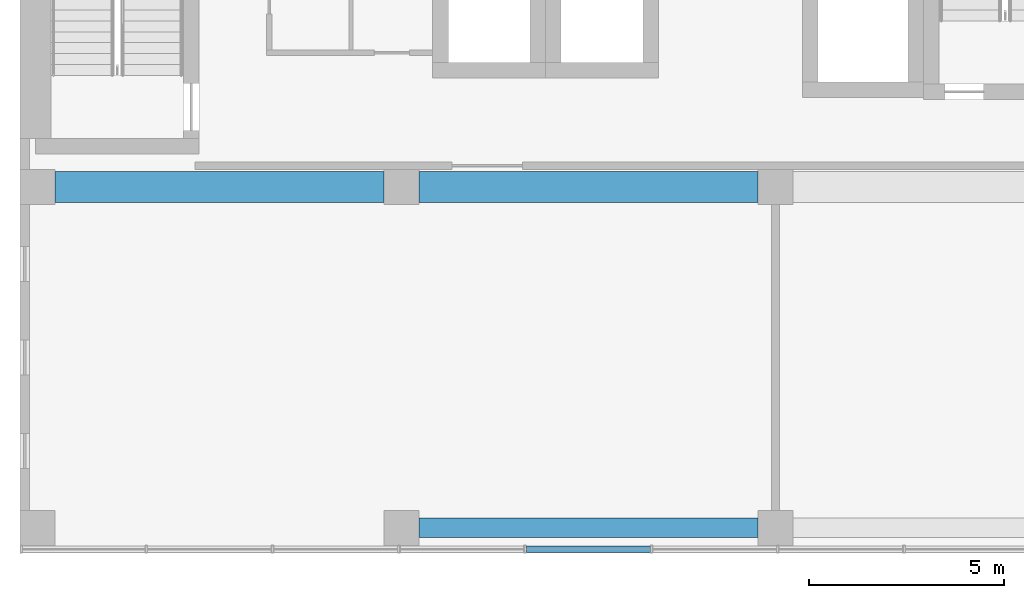
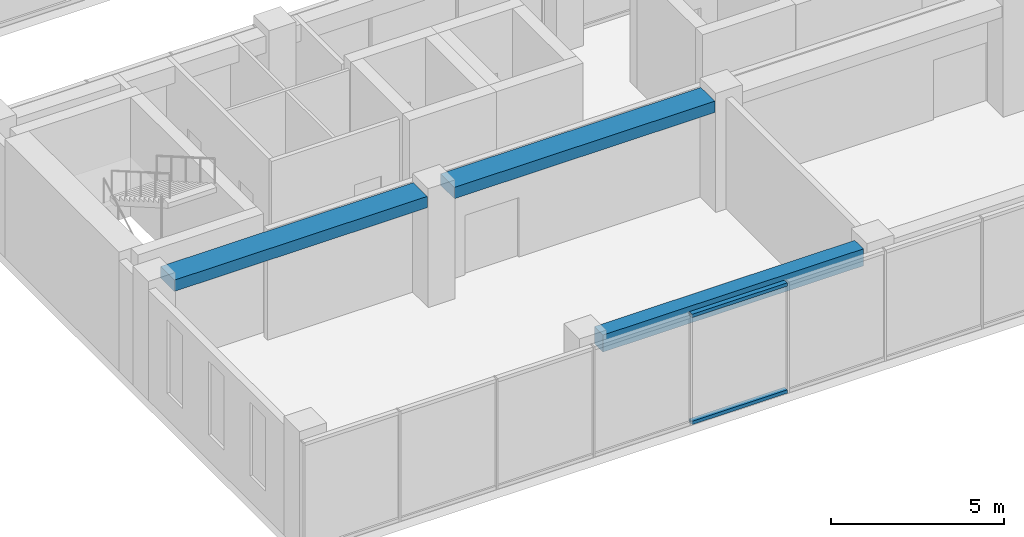
# One storey, part 3 of 37: 3 beams, 2 members, 1 element without a shape of its own.
"""IFC4 building model written with IfcOpenShell, lengths in metres."""

from ifc_helpers import new_model, si_unit, direction, frame, origin, origin_2d, place, context, subcontext, project, spatial, rectangle, hollow_rectangle, extrude, material, layer, layer_set, material_profile, profile_set, type_object, element, aggregate, save


model = new_model("IFC4")

# Units and contexts
model_context = context("Model", 3, precision=1e-05, world=origin(), true_north=direction((0.0, 1.0)))
body_context = subcontext(model_context, "Body", "Model", "MODEL_VIEW")
ifc_project = project(units=[si_unit("LENGTHUNIT", "METRE"), si_unit("AREAUNIT", "SQUARE_METRE"), si_unit("VOLUMEUNIT", "CUBIC_METRE"), si_unit("PLANEANGLEUNIT", "RADIAN"), si_unit("MASSUNIT", "GRAM", prefix="KILO")], contexts=[model_context])

# Site, building, storey
site_placement = place(None, origin())
site = spatial("IfcSite", under=ifc_project, at=site_placement, CompositionType="ELEMENT")
building_placement = place(site_placement, origin())
building = spatial("IfcBuilding", under=site, at=building_placement, Name="Nzadi Deep Aquarium and Research Tower", CompositionType="ELEMENT")
storey_placement = place(building_placement, frame((0.0, 0.0, 57.10009765625)))
storey = spatial("IfcBuildingStorey", under=building, at=storey_placement, Name="L11", CompositionType="ELEMENT", Elevation=57.10009765625)

# Beams
ifc_material_1 = material(Name="Concrete C35/45", Category="concrete")
ifc_material_profile_1 = material_profile(ifc_material_1, rectangle(XDim=0.5, YDim=0.60009765625, at=origin_2d()))
ifc_profile_set_1 = profile_set([ifc_material_profile_1], Name="Concrete C35/45")
beam_type_1 = type_object("IfcBeamType", Name="RC 500x600", PredefinedType="BEAM", material=ifc_profile_set_1)
beam_1_placement = place(storey_placement, frame((10.050048828125, 0.449951171875, 3.599853515625), z_axis=(1.0, 0.0, 0.0), x_axis=(0.0, 1.0, 0.0)))
element("IfcBeam", 1, at=beam_1_placement, inside=storey, type_object=beam_type_1, Name="B-Z1-L11-L1-2", PredefinedType="BEAM", context=body_context, shape_type="SweptSolid", body=[
    extrude(rectangle(XDim=0.5, YDim=0.60009765625, at=origin_2d()), origin(), (0.0, 0.0, 1.0), 8.699951171875),
])
ifc_material_2 = material(Name="Concrete C35/45", Category="concrete")
ifc_material_profile_2 = material_profile(ifc_material_2, rectangle(XDim=0.800048828125, YDim=0.39990234375, at=origin_2d()))
ifc_profile_set_2 = profile_set([ifc_material_profile_2], Name="Concrete C35/45")
beam_type_2 = type_object("IfcBeamType", Name="RC 800x400", PredefinedType="BEAM", material=ifc_profile_set_2)
beam_2_placement = place(storey_placement, frame((0.699951171875, 9.199951171875, 3.699951171875), z_axis=(1.0, 0.0, 0.0), x_axis=(0.0, 1.0, 0.0)))
element("IfcBeam", 2, at=beam_2_placement, inside=storey, type_object=beam_type_2, Name="B-Z1-L11-L2-1", PredefinedType="BEAM", context=body_context, shape_type="SweptSolid", body=[
    extrude(rectangle(XDim=0.800048828125, YDim=0.39990234375, at=origin_2d()), origin(), (0.0, 0.0, 1.0), 8.449951171875),
])
beam_3_placement = place(storey_placement, frame((10.050048828125, 9.199951171875, 3.699951171875), z_axis=(1.0, 0.0, 0.0), x_axis=(0.0, 1.0, 0.0)))
element("IfcBeam", 3, at=beam_3_placement, inside=storey, type_object=beam_type_2, Name="B-Z1-L11-L2-2", PredefinedType="BEAM", context=body_context, shape_type="SweptSolid", body=[
    extrude(rectangle(XDim=0.800048828125, YDim=0.39990234375, at=origin_2d()), origin(), (0.0, 0.0, 1.0), 8.699951171875),
])

# Curtain wall, members
ifc_material_3 = material(Name="Aluminium unitised frame", Category="aluminium")
ifc_layer = layer(ifc_material_3, 0.199951171875)
ifc_layer_set = layer_set([ifc_layer], Name="Aluminium unitised frame")
curtain_wall_type = type_object("IfcCurtainWallType", Name="Curtain wall Unitised 200", PredefinedType="NOTDEFINED", material=ifc_layer_set)
curtain_wall_placement = place(storey_placement, origin())
curtain_wall = element("IfcCurtainWall", 4, at=curtain_wall_placement, inside=storey, type_object=curtain_wall_type, Name="Unitised curtain wall blade A south L11", PredefinedType="NOTDEFINED")
ifc_material_4 = material(Name="Aluminium unitised frame", Category="aluminium")
ifc_material_profile_3 = material_profile(ifc_material_4, hollow_rectangle(XDim=0.159912109375, YDim=0.1201171875, WallThickness=0.0048828125, at=origin_2d()))
ifc_profile_set_3 = profile_set([ifc_material_profile_3], Name="Aluminium unitised frame")
member_type = type_object("IfcMemberType", Name="Transom 120x160 Unitised", PredefinedType="MULLION", material=ifc_profile_set_3)
member_1_placement = place(storey_placement, frame((12.80322265625, -0.10009765625, 0.059814453125), z_axis=(1.0, 0.0, 0.0), x_axis=(0.0, 1.0, 0.0)))
member_1 = element("IfcMember", 5, at=member_1_placement, type_object=member_type, Name="CW043 transom 5.1", PredefinedType="MULLION", context=body_context, shape_type="SweptSolid", body=[
    extrude(hollow_rectangle(XDim=0.159912109375, YDim=0.1201171875, WallThickness=0.0048828125, at=origin_2d()), origin(), (0.0, 0.0, 1.0), 3.183349609375),
])
member_2_placement = place(storey_placement, frame((12.80322265625, -0.10009765625, 3.83984375), z_axis=(1.0, 0.0, 0.0), x_axis=(0.0, 1.0, 0.0)))
member_2 = element("IfcMember", 6, at=member_2_placement, type_object=member_type, Name="CW043 transom 5.2", PredefinedType="MULLION", context=body_context, shape_type="SweptSolid", body=[
    extrude(hollow_rectangle(XDim=0.159912109375, YDim=0.1201171875, WallThickness=0.0048828125, at=origin_2d()), origin(), (0.0, 0.0, 1.0), 3.183349609375),
])
aggregate(curtain_wall, [member_1, member_2])

save(model, "model.ifc")
